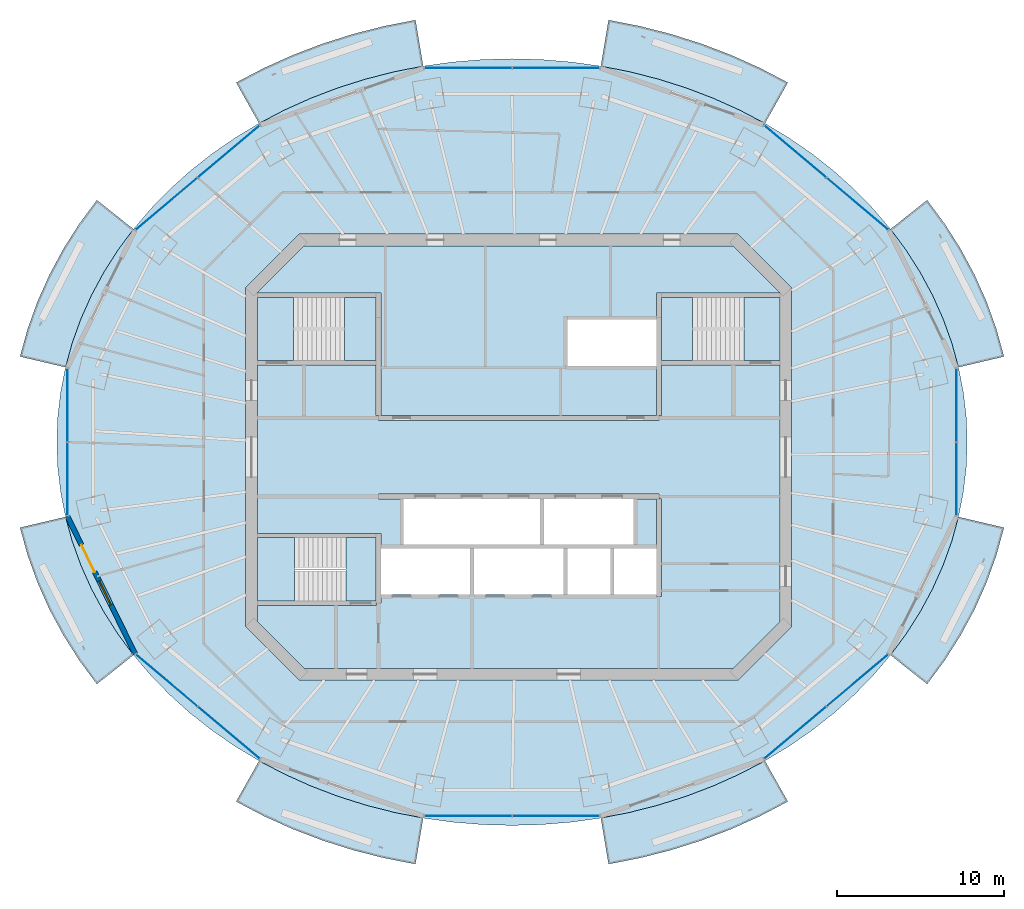
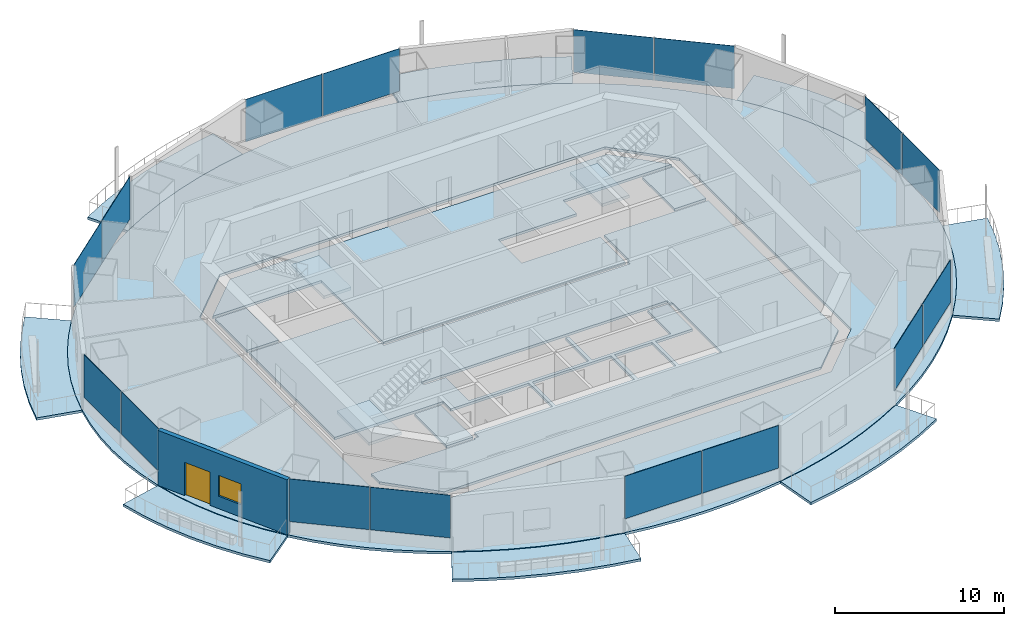
# One storey, part 7 of 16: 17 slabs, 16 plates, 1 door, 1 wall, 1 window, 2 openings, 11 elements without a shape of their own.
"""IFC4 building model written with IfcOpenShell, lengths in metres."""

from ifc_helpers import new_model, si_unit, direction, frame, frame_2d, origin, origin_2d, place, context, subcontext, project, spatial, polyline, rectangle, outline, extrude, material, layer, layer_set, type_object, element, fill, aggregate, save


model = new_model("IFC4")

# Units and contexts
model_context = context("Model", 3, precision=1e-05, world=origin(), true_north=direction((0.0, 1.0)))
body_context = subcontext(model_context, "Body", "Model", "MODEL_VIEW")
ifc_project = project(units=[si_unit("LENGTHUNIT", "METRE"), si_unit("AREAUNIT", "SQUARE_METRE"), si_unit("VOLUMEUNIT", "CUBIC_METRE"), si_unit("PLANEANGLEUNIT", "RADIAN"), si_unit("MASSUNIT", "GRAM", prefix="KILO")], contexts=[model_context])

# Site, building, storey
site_placement = place(None, origin())
site = spatial("IfcSite", under=ifc_project, at=site_placement, CompositionType="ELEMENT")
building_placement = place(site_placement, origin())
building = spatial("IfcBuilding", under=site, at=building_placement, Name="Marenthal Gate Tower", CompositionType="ELEMENT")
storey_placement = place(building_placement, frame((0.0, 0.0, 338.449951171875)))
storey = spatial("IfcBuildingStorey", under=building, at=storey_placement, Name="L76", CompositionType="ELEMENT", Elevation=338.449951171875)

# Slabs
ifc_material_1 = material(Name="Concrete 40 MPa", Category="concrete")
ifc_layer_1 = layer(ifc_material_1, 0.179931640625)
ifc_layer_set_1 = layer_set([ifc_layer_1], Name="Balcony deck 180")
slab_type_1 = type_object("IfcSlabType", Name="Balcony deck 180", PredefinedType="USERDEFINED", material=ifc_layer_set_1)
slab_1_placement = place(storey_placement, frame((0.0, 0.0, -0.219970703125)))
element("IfcSlab", 1, at=slab_1_placement, inside=storey, type_object=slab_type_1, Name="Balcony deck L76 bay 1", ObjectType="BALCONY", PredefinedType="USERDEFINED", context=body_context, shape_type="SweptSolid", body=[
    extrude(outline(polyline([(26.344970703125, 5.379638671875), (25.939697265625, 6.843017578125), (25.421875, 8.281005859375), (24.793212890625, 9.687255859375), (24.056884765625, 11.055908203125), (23.215576171875, 12.381103515625), (22.273193359375, 13.656982421875), (24.466552734375, 15.3974609375), (25.52490234375, 13.96435546875), (26.472900390625, 12.470703125), (27.3056640625, 10.923095703125), (28.018798828125, 9.327880859375), (28.60791015625, 7.692138671875), (29.070068359375, 6.0234375), (26.344970703125, 5.379638671875)])), origin(), (0.0, 0.0, 1.0), 0.179931640625),
])
slab_2_placement = place(storey_placement, frame((0.0, 0.0, -0.219970703125)))
element("IfcSlab", 2, at=slab_2_placement, inside=storey, type_object=slab_type_1, Name="Balcony deck L76 bay 3", ObjectType="BALCONY", PredefinedType="USERDEFINED", context=body_context, shape_type="SweptSolid", body=[
    extrude(outline(polyline([(14.749755859375, 19.9921875), (13.234619140625, 20.78564453125), (11.660888671875, 21.493896484375), (10.035400390625, 22.114013671875), (8.365234375, 22.643310546875), (6.65771484375, 23.07958984375), (4.919921875, 23.4208984375), (5.38232421875, 26.182373046875), (7.27392578125, 25.81103515625), (9.134765625, 25.335693359375), (10.95751953125, 24.7578125), (12.734619140625, 24.079833984375), (14.458740234375, 23.303955078125), (16.122802734375, 22.432373046875), (14.749755859375, 19.9921875)])), origin(), (0.0, 0.0, 1.0), 0.179931640625),
])
slab_3_placement = place(storey_placement, frame((0.0, 0.0, -0.219970703125)))
element("IfcSlab", 3, at=slab_3_placement, inside=storey, type_object=slab_type_1, Name="Balcony deck L76 bay 5", ObjectType="BALCONY", PredefinedType="USERDEFINED", context=body_context, shape_type="SweptSolid", body=[
    extrude(outline(polyline([(-5.719970703125, 23.4208984375), (-7.457763671875, 23.07958984375), (-9.165283203125, 22.643310546875), (-10.83544921875, 22.114013671875), (-12.460693359375, 21.493896484375), (-14.034423828125, 20.78564453125), (-15.5498046875, 19.9921875), (-16.9228515625, 22.432373046875), (-15.2587890625, 23.303955078125), (-13.53466796875, 24.079833984375), (-11.757568359375, 24.7578125), (-9.934814453125, 25.335693359375), (-8.073974609375, 25.81103515625), (-6.182373046875, 26.182373046875), (-5.719970703125, 23.4208984375)])), origin(), (0.0, 0.0, 1.0), 0.179931640625),
])
slab_4_placement = place(storey_placement, frame((0.0, 0.0, -0.219970703125)))
element("IfcSlab", 4, at=slab_4_placement, inside=storey, type_object=slab_type_1, Name="Balcony deck L76 bay 7", ObjectType="BALCONY", PredefinedType="USERDEFINED", context=body_context, shape_type="SweptSolid", body=[
    extrude(outline(polyline([(-23.0732421875, 13.656982421875), (-24.015625, 12.381103515625), (-24.856689453125, 11.055908203125), (-25.59326171875, 9.687255859375), (-26.2216796875, 8.281005859375), (-26.73974609375, 6.843017578125), (-27.14501953125, 5.379638671875), (-29.8701171875, 6.0234375), (-29.407958984375, 7.692138671875), (-28.818603515625, 9.327880859375), (-28.105712890625, 10.923095703125), (-27.27294921875, 12.470703125), (-26.324951171875, 13.96435546875), (-25.2666015625, 15.3974609375), (-23.0732421875, 13.656982421875)])), origin(), (0.0, 0.0, 1.0), 0.179931640625),
])
slab_5_placement = place(storey_placement, frame((0.0, 0.0, -0.219970703125)))
element("IfcSlab", 5, at=slab_5_placement, inside=storey, type_object=slab_type_1, Name="Balcony deck L76 bay 9", ObjectType="BALCONY", PredefinedType="USERDEFINED", context=body_context, shape_type="SweptSolid", body=[
    extrude(outline(polyline([(-27.14501953125, -3.57958984375), (-26.73974609375, -5.04296875), (-26.2216796875, -6.48095703125), (-25.59326171875, -7.88720703125), (-24.856689453125, -9.255859375), (-24.015625, -10.5810546875), (-23.0732421875, -11.85693359375), (-25.2666015625, -13.597412109375), (-26.324951171875, -12.164306640625), (-27.27294921875, -10.6708984375), (-28.105712890625, -9.123046875), (-28.818603515625, -7.52783203125), (-29.407958984375, -5.89208984375), (-29.8701171875, -4.223388671875), (-27.14501953125, -3.57958984375)])), origin(), (0.0, 0.0, 1.0), 0.179931640625),
])
slab_6_placement = place(storey_placement, frame((0.0, 0.0, -0.219970703125)))
element("IfcSlab", 6, at=slab_6_placement, inside=storey, type_object=slab_type_1, Name="Balcony deck L76 bay 11", ObjectType="BALCONY", PredefinedType="USERDEFINED", context=body_context, shape_type="SweptSolid", body=[
    extrude(outline(polyline([(-15.5498046875, -18.192138671875), (-14.034423828125, -18.985595703125), (-12.460693359375, -19.694091796875), (-10.83544921875, -20.314208984375), (-9.165283203125, -20.843505859375), (-7.457763671875, -21.279541015625), (-5.719970703125, -21.620849609375), (-6.182373046875, -24.38232421875), (-8.073974609375, -24.010986328125), (-9.934814453125, -23.53564453125), (-11.757568359375, -22.9580078125), (-13.53466796875, -22.280029296875), (-15.2587890625, -21.50390625), (-16.9228515625, -20.632568359375), (-15.5498046875, -18.192138671875)])), origin(), (0.0, 0.0, 1.0), 0.179931640625),
])
slab_7_placement = place(storey_placement, frame((0.0, 0.0, -0.219970703125)))
element("IfcSlab", 7, at=slab_7_placement, inside=storey, type_object=slab_type_1, Name="Balcony deck L76 bay 13", ObjectType="BALCONY", PredefinedType="USERDEFINED", context=body_context, shape_type="SweptSolid", body=[
    extrude(outline(polyline([(4.919921875, -21.620849609375), (6.65771484375, -21.279541015625), (8.365234375, -20.843505859375), (10.035400390625, -20.314208984375), (11.660888671875, -19.694091796875), (13.234619140625, -18.985595703125), (14.749755859375, -18.192138671875), (16.122802734375, -20.632568359375), (14.458740234375, -21.50390625), (12.734619140625, -22.280029296875), (10.95751953125, -22.9580078125), (9.134765625, -23.53564453125), (7.27392578125, -24.010986328125), (5.38232421875, -24.38232421875), (4.919921875, -21.620849609375)])), origin(), (0.0, 0.0, 1.0), 0.179931640625),
])
slab_8_placement = place(storey_placement, frame((0.0, 0.0, -0.219970703125)))
element("IfcSlab", 8, at=slab_8_placement, inside=storey, type_object=slab_type_1, Name="Balcony deck L76 bay 15", ObjectType="BALCONY", PredefinedType="USERDEFINED", context=body_context, shape_type="SweptSolid", body=[
    extrude(outline(polyline([(22.273193359375, -11.85693359375), (23.215576171875, -10.5810546875), (24.056884765625, -9.255859375), (24.793212890625, -7.88720703125), (25.421875, -6.48095703125), (25.939697265625, -5.04296875), (26.344970703125, -3.57958984375), (29.070068359375, -4.223388671875), (28.60791015625, -5.89208984375), (28.018798828125, -7.52783203125), (27.3056640625, -9.123046875), (26.472900390625, -10.6708984375), (25.52490234375, -12.164306640625), (24.466552734375, -13.597412109375), (22.273193359375, -11.85693359375)])), origin(), (0.0, 0.0, 1.0), 0.179931640625),
])
ifc_material_2 = material(Name="Concrete 50 MPa", Category="concrete")
ifc_layer_2 = layer(ifc_material_2, 0.179931640625)
ifc_layer_set_2 = layer_set([ifc_layer_2], Name="Core floor slab 180")
slab_type_2 = type_object("IfcSlabType", Name="Core floor slab 180", PredefinedType="FLOOR", material=ifc_layer_set_2)
slab_9_placement = place(storey_placement, frame((0.0, 0.0, -0.179931640625)))
element("IfcSlab", 9, at=slab_9_placement, inside=storey, type_object=slab_type_2, Name="Core floor L76", PredefinedType="FLOOR", context=body_context, shape_type="SweptSolid", body=[
    extrude(outline(polyline([(12.85498046875, -12.64990234375), (-12.85498046875, -12.64990234375), (-15.64990234375, -9.85498046875), (-15.64990234375, -8.875), (-8.550048828125, -8.875), (-8.550048828125, -8.75), (-8.25, -8.75), (-8.25, -8.239990234375), (-5.60009765625, -8.239990234375), (-2.909912109375, -8.239990234375), (-2.909912109375, -5.4599609375), (-5.60009765625, -5.4599609375), (-8.25, -5.4599609375), (-8.25, -4.574951171875), (-8.550048828125, -4.574951171875), (-15.64990234375, -4.574951171875), (-15.64990234375, 5.52490234375), (-8.550048828125, 5.52490234375), (-8.550048828125, 2.5), (-8.39990234375, 2.5), (-8.39990234375, 2.199951171875), (8.39990234375, 2.199951171875), (8.39990234375, 2.5), (8.550048828125, 2.5), (8.550048828125, 5.52490234375), (15.64990234375, 5.52490234375), (15.64990234375, -9.85498046875), (12.85498046875, -12.64990234375)]), holes=[polyline([(0.0, -8.239990234375), (2.68994140625, -8.239990234375), (2.68994140625, -5.4599609375), (0.0, -5.4599609375), (-2.68994140625, -5.4599609375), (-2.68994140625, -8.239990234375), (0.0, -8.239990234375)]), polyline([(1.2900390625, -5.239990234375), (1.2900390625, -2.5), (1.510009765625, -2.5), (1.510009765625, -5.239990234375), (4.199951171875, -5.239990234375), (6.889892578125, -5.239990234375), (6.889892578125, -2.5), (8.25, -2.5), (8.25, -5.4599609375), (5.7099609375, -5.4599609375), (5.7099609375, -8.239990234375), (8.25, -8.239990234375), (8.25, -8.35009765625), (8.550048828125, -8.35009765625), (8.550048828125, -2.5), (8.39990234375, -2.5), (8.39990234375, -2.199951171875), (-8.39990234375, -2.199951171875), (-8.39990234375, -2.5), (-6.889892578125, -2.5), (-6.889892578125, -5.239990234375), (-4.199951171875, -5.239990234375), (-1.39990234375, -5.239990234375), (1.2900390625, -5.239990234375)]), polyline([(5.489990234375, -5.4599609375), (2.909912109375, -5.4599609375), (2.909912109375, -8.239990234375), (5.489990234375, -8.239990234375), (5.489990234375, -5.4599609375)])]), origin(), (0.0, 0.0, 1.0), 0.179931640625),
])
slab_10_placement = place(storey_placement, frame((0.0, 0.0, -0.179931640625)))
element("IfcSlab", 10, at=slab_10_placement, inside=storey, type_object=slab_type_2, Name="Core floor L76", PredefinedType="FLOOR", context=body_context, shape_type="SweptSolid", body=[
    extrude(outline(polyline([(15.64990234375, 5.77490234375), (13.5, 5.77490234375), (13.5, 9.574951171875), (15.64990234375, 9.574951171875), (15.64990234375, 5.77490234375)])), origin(), (0.0, 0.0, 1.0), 0.179931640625),
])
slab_11_placement = place(storey_placement, frame((0.0, 0.0, -0.179931640625)))
element("IfcSlab", 11, at=slab_11_placement, inside=storey, type_object=slab_type_2, Name="Core floor L76", PredefinedType="FLOOR", context=body_context, shape_type="SweptSolid", body=[
    extrude(outline(polyline([(15.64990234375, 9.824951171875), (8.550048828125, 9.824951171875), (8.25, 9.824951171875), (8.25, 8.35009765625), (8.25, 8.239990234375), (5.60009765625, 8.239990234375), (2.909912109375, 8.239990234375), (2.909912109375, 5.4599609375), (5.60009765625, 5.4599609375), (8.25, 5.4599609375), (8.25, 2.5), (-8.25, 2.5), (-8.25, 8.35009765625), (-8.25, 9.824951171875), (-8.550048828125, 9.824951171875), (-15.64990234375, 9.824951171875), (-15.64990234375, 9.85498046875), (-12.85498046875, 12.64990234375), (12.85498046875, 12.64990234375), (15.64990234375, 9.85498046875), (15.64990234375, 9.824951171875)])), origin(), (0.0, 0.0, 1.0), 0.179931640625),
])
slab_12_placement = place(storey_placement, frame((0.0, 0.0, -0.179931640625)))
element("IfcSlab", 12, at=slab_12_placement, inside=storey, type_object=slab_type_2, Name="Core floor L76", PredefinedType="FLOOR", context=body_context, shape_type="SweptSolid", body=[
    extrude(outline(polyline([(-15.64990234375, 9.574951171875), (-13.5, 9.574951171875), (-13.5, 5.77490234375), (-15.64990234375, 5.77490234375), (-15.64990234375, 9.574951171875)])), origin(), (0.0, 0.0, 1.0), 0.179931640625),
])
slab_13_placement = place(storey_placement, frame((0.0, 0.0, -0.179931640625)))
element("IfcSlab", 13, at=slab_13_placement, inside=storey, type_object=slab_type_2, Name="Core floor L76", PredefinedType="FLOOR", context=body_context, shape_type="SweptSolid", body=[
    extrude(outline(polyline([(-8.550048828125, -4.824951171875), (-8.550048828125, -8.625), (-10.35009765625, -8.625), (-10.35009765625, -4.824951171875), (-8.550048828125, -4.824951171875)])), origin(), (0.0, 0.0, 1.0), 0.179931640625),
])
ifc_material_3 = material(Name="Concrete 35 MPa", Category="concrete")
ifc_layer_3 = layer(ifc_material_3, 0.179931640625)
ifc_layer_set_3 = layer_set([ifc_layer_3], Name="Floor slab 180")
slab_type_3 = type_object("IfcSlabType", Name="Floor slab 180", PredefinedType="FLOOR", material=ifc_layer_set_3)
slab_14_placement = place(storey_placement, frame((0.0, 0.0, -0.179931640625)))
element("IfcSlab", 14, at=slab_14_placement, inside=storey, type_object=slab_type_3, Name="SL-L76-01", PredefinedType="FLOOR", context=body_context, shape_type="SweptSolid", body=[
    extrude(outline(polyline([(26.868896484375, 0.89990234375), (26.810546875, 2.40185546875), (26.6357421875, 3.897216796875), (26.344970703125, 5.379638671875), (25.939697265625, 6.843017578125), (25.421875, 8.281005859375), (24.793212890625, 9.687255859375), (24.056884765625, 11.055908203125), (23.215576171875, 12.381103515625), (22.273193359375, 13.656982421875), (21.23388671875, 14.87841796875), (20.101806640625, 16.039794921875), (18.882080078125, 17.13671875), (17.57958984375, 18.163818359375), (16.2001953125, 19.116943359375), (14.749755859375, 19.9921875), (13.234619140625, 20.78564453125), (11.660888671875, 21.493896484375), (10.035400390625, 22.114013671875), (8.365234375, 22.643310546875), (6.65771484375, 23.07958984375), (4.919921875, 23.4208984375), (3.1591796875, 23.66552734375), (1.383544921875, 23.812744140625), (-0.39990234375, 23.862060546875), (-2.18359375, 23.812744140625), (-3.959228515625, 23.66552734375), (-5.719970703125, 23.4208984375), (-7.457763671875, 23.07958984375), (-9.165283203125, 22.643310546875), (-10.83544921875, 22.114013671875), (-12.460693359375, 21.493896484375), (-14.034423828125, 20.78564453125), (-15.5498046875, 19.9921875), (-17.000244140625, 19.116943359375), (-18.379638671875, 18.163818359375), (-19.68212890625, 17.13671875), (-20.90185546875, 16.039794921875), (-22.033935546875, 14.87841796875), (-23.0732421875, 13.656982421875), (-24.015625, 12.381103515625), (-24.856689453125, 11.055908203125), (-25.59326171875, 9.687255859375), (-26.2216796875, 8.281005859375), (-26.73974609375, 6.843017578125), (-27.14501953125, 5.379638671875), (-27.435791015625, 3.897216796875), (-27.610595703125, 2.40185546875), (-27.6689453125, 0.89990234375), (-27.610595703125, -0.601806640625), (-27.435791015625, -2.09716796875), (-27.14501953125, -3.57958984375), (-26.73974609375, -5.04296875), (-26.2216796875, -6.48095703125), (-25.59326171875, -7.88720703125), (-24.856689453125, -9.255859375), (-24.015625, -10.5810546875), (-23.0732421875, -11.85693359375), (-22.033935546875, -13.078369140625), (-20.90185546875, -14.239990234375), (-19.68212890625, -15.336669921875), (-18.379638671875, -16.36376953125), (-17.000244140625, -17.31689453125), (-15.5498046875, -18.192138671875), (-14.034423828125, -18.985595703125), (-12.460693359375, -19.694091796875), (-10.83544921875, -20.314208984375), (-9.165283203125, -20.843505859375), (-7.457763671875, -21.279541015625), (-5.719970703125, -21.620849609375), (-3.959228515625, -21.865478515625), (-2.18359375, -22.0126953125), (-0.39990234375, -22.06201171875), (1.383544921875, -22.0126953125), (3.1591796875, -21.865478515625), (4.919921875, -21.620849609375), (6.65771484375, -21.279541015625), (8.365234375, -20.843505859375), (10.035400390625, -20.314208984375), (11.660888671875, -19.694091796875), (13.234619140625, -18.985595703125), (14.749755859375, -18.192138671875), (16.2001953125, -17.31689453125), (17.57958984375, -16.36376953125), (18.882080078125, -15.336669921875), (20.101806640625, -14.239990234375), (21.23388671875, -13.078369140625), (22.273193359375, -11.85693359375), (23.215576171875, -10.5810546875), (24.056884765625, -9.255859375), (24.793212890625, -7.88720703125), (25.421875, -6.48095703125), (25.939697265625, -5.04296875), (26.344970703125, -3.57958984375), (26.6357421875, -2.09716796875), (26.810546875, -0.601806640625), (26.868896484375, 0.89990234375)]), holes=[polyline([(13.14501953125, -13.35009765625), (16.35009765625, -10.14501953125), (16.35009765625, 10.14501953125), (13.14501953125, 13.35009765625), (-13.14501953125, 13.35009765625), (-16.35009765625, 10.14501953125), (-16.35009765625, -10.14501953125), (-13.14501953125, -13.35009765625), (13.14501953125, -13.35009765625)])]), origin(), (0.0, 0.0, 1.0), 0.179931640625),
])

# Curtain wall, plates
ifc_material_4 = material(Name="Aluminium and glass", Category="aluminium")
curtain_wall_type = type_object("IfcCurtainWallType", Name="Curtain wall typical high", PredefinedType="NOTDEFINED", material=ifc_material_4)
curtain_wall_1_placement = place(storey_placement, origin())
curtain_wall_1 = element("IfcCurtainWall", 15, at=curtain_wall_1_placement, inside=storey, type_object=curtain_wall_type, Name="Curtain wall L76 bay 2", PredefinedType="NOTDEFINED")
ifc_material_5 = material(Name="Glass, laminated insulating unit", Category="glass")
ifc_layer_4 = layer(ifc_material_5, 0.031982421875)
ifc_layer_set_4 = layer_set([ifc_layer_4], Name="Glass panel 32 typical high")
plate_type = type_object("IfcPlateType", Name="Glass panel 32 typical high", PredefinedType="CURTAIN_PANEL", material=ifc_layer_set_4)
plate_1_placement = place(storey_placement, frame((20.28955078125, 15.175537109375, 0.89990234375), z_axis=(0.0, 0.0, 1.0), x_axis=(-0.765193255572, 0.643800653639, 0.0)))
plate_1 = element("IfcPlate", 16, at=plate_1_placement, type_object=plate_type, Name="Glass panel L76 bay 2.1", PredefinedType="CURTAIN_PANEL", context=body_context, shape_type="SweptSolid", body=[
    extrude(rectangle(XDim=4.804443359375, YDim=0.031982421875, at=origin_2d()), origin(), (0.0, 0.0, 1.0), 3.070068359375),
])
plate_2_placement = place(storey_placement, frame((16.5673828125, 18.30712890625, 0.89990234375), z_axis=(0.0, 0.0, 1.0), x_axis=(-0.765193255572, 0.643800653639, 0.0)))
plate_2 = element("IfcPlate", 17, at=plate_2_placement, type_object=plate_type, Name="Glass panel L76 bay 2.2", PredefinedType="CURTAIN_PANEL", context=body_context, shape_type="SweptSolid", body=[
    extrude(rectangle(XDim=4.804443359375, YDim=0.031982421875, at=origin_2d()), origin(), (0.0, 0.0, 1.0), 3.070068359375),
])
aggregate(curtain_wall_1, [plate_1, plate_2])

curtain_wall_2_placement = place(storey_placement, origin())
curtain_wall_2 = element("IfcCurtainWall", 18, at=curtain_wall_2_placement, inside=storey, type_object=curtain_wall_type, Name="Curtain wall L76 bay 4", PredefinedType="NOTDEFINED")
plate_3_placement = place(storey_placement, frame((2.233154296875, 23.302978515625, 0.89990234375), z_axis=(0.0, 0.0, 1.0), x_axis=(-1.0, 0.0, 0.0)))
plate_3 = element("IfcPlate", 19, at=plate_3_placement, type_object=plate_type, Name="Glass panel L76 bay 4.1", PredefinedType="CURTAIN_PANEL", context=body_context, shape_type="SweptSolid", body=[
    extrude(rectangle(XDim=5.20654296875, YDim=0.031982421875, at=origin_2d()), origin(), (0.0, 0.0, 1.0), 3.070068359375),
])
plate_4_placement = place(storey_placement, frame((-3.033203125, 23.302978515625, 0.89990234375), z_axis=(0.0, 0.0, 1.0), x_axis=(-1.0, 0.0, 0.0)))
plate_4 = element("IfcPlate", 20, at=plate_4_placement, type_object=plate_type, Name="Glass panel L76 bay 4.2", PredefinedType="CURTAIN_PANEL", context=body_context, shape_type="SweptSolid", body=[
    extrude(rectangle(XDim=5.20654296875, YDim=0.031982421875, at=origin_2d()), origin(), (0.0, 0.0, 1.0), 3.070068359375),
])
aggregate(curtain_wall_2, [plate_3, plate_4])

curtain_wall_3_placement = place(storey_placement, origin())
curtain_wall_3 = element("IfcCurtainWall", 21, at=curtain_wall_3_placement, inside=storey, type_object=curtain_wall_type, Name="Curtain wall L76 bay 6", PredefinedType="NOTDEFINED")
plate_5_placement = place(storey_placement, frame((-17.3671875, 18.30712890625, 0.89990234375), z_axis=(0.0, 0.0, 1.0), x_axis=(-0.765193255572, -0.643800653639, 0.0)))
plate_5 = element("IfcPlate", 22, at=plate_5_placement, type_object=plate_type, Name="Glass panel L76 bay 6.1", PredefinedType="CURTAIN_PANEL", context=body_context, shape_type="SweptSolid", body=[
    extrude(rectangle(XDim=4.804443359375, YDim=0.031982421875, at=origin_2d()), origin(), (0.0, 0.0, 1.0), 3.070068359375),
])
plate_6_placement = place(storey_placement, frame((-21.089599609375, 15.175537109375, 0.89990234375), z_axis=(0.0, 0.0, 1.0), x_axis=(-0.765193255572, -0.643800653639, 0.0)))
plate_6 = element("IfcPlate", 23, at=plate_6_placement, type_object=plate_type, Name="Glass panel L76 bay 6.2", PredefinedType="CURTAIN_PANEL", context=body_context, shape_type="SweptSolid", body=[
    extrude(rectangle(XDim=4.804443359375, YDim=0.031982421875, at=origin_2d()), origin(), (0.0, 0.0, 1.0), 3.070068359375),
])
aggregate(curtain_wall_3, [plate_5, plate_6])

curtain_wall_4_placement = place(storey_placement, origin())
curtain_wall_4 = element("IfcCurtainWall", 24, at=curtain_wall_4_placement, inside=storey, type_object=curtain_wall_type, Name="Curtain wall L76 bay 8", PredefinedType="NOTDEFINED")
plate_7_placement = place(storey_placement, frame((-27.02734375, 3.113037109375, 0.89990234375), z_axis=(0.0, 0.0, 1.0), x_axis=(0.0, -1.0, 0.0)))
plate_7 = element("IfcPlate", 25, at=plate_7_placement, type_object=plate_type, Name="Glass panel L76 bay 8.1", PredefinedType="CURTAIN_PANEL", context=body_context, shape_type="SweptSolid", body=[
    extrude(rectangle(XDim=4.3662109375, YDim=0.031982421875, at=origin_2d()), origin(), (0.0, 0.0, 1.0), 3.070068359375),
])
plate_8_placement = place(storey_placement, frame((-27.02734375, -1.313232421875, 0.89990234375), z_axis=(0.0, 0.0, 1.0), x_axis=(0.0, -1.0, 0.0)))
plate_8 = element("IfcPlate", 26, at=plate_8_placement, type_object=plate_type, Name="Glass panel L76 bay 8.2", PredefinedType="CURTAIN_PANEL", context=body_context, shape_type="SweptSolid", body=[
    extrude(rectangle(XDim=4.3662109375, YDim=0.031982421875, at=origin_2d()), origin(), (0.0, 0.0, 1.0), 3.070068359375),
])
aggregate(curtain_wall_4, [plate_7, plate_8])

curtain_wall_5_placement = place(storey_placement, origin())
curtain_wall_5 = element("IfcCurtainWall", 27, at=curtain_wall_5_placement, inside=storey, type_object=curtain_wall_type, Name="Curtain wall L76 bay 10", PredefinedType="NOTDEFINED")
plate_9_placement = place(storey_placement, frame((-21.089599609375, -13.37548828125, 0.89990234375), z_axis=(0.0, 0.0, 1.0), x_axis=(0.765193255572, -0.643800653639, 0.0)))
plate_9 = element("IfcPlate", 28, at=plate_9_placement, type_object=plate_type, Name="Glass panel L76 bay 10.1", PredefinedType="CURTAIN_PANEL", context=body_context, shape_type="SweptSolid", body=[
    extrude(rectangle(XDim=4.804443359375, YDim=0.031982421875, at=origin_2d()), origin(), (0.0, 0.0, 1.0), 3.070068359375),
])
plate_10_placement = place(storey_placement, frame((-17.3671875, -16.507080078125, 0.89990234375), z_axis=(0.0, 0.0, 1.0), x_axis=(0.765193255572, -0.643800653639, 0.0)))
plate_10 = element("IfcPlate", 29, at=plate_10_placement, type_object=plate_type, Name="Glass panel L76 bay 10.2", PredefinedType="CURTAIN_PANEL", context=body_context, shape_type="SweptSolid", body=[
    extrude(rectangle(XDim=4.804443359375, YDim=0.031982421875, at=origin_2d()), origin(), (0.0, 0.0, 1.0), 3.070068359375),
])
aggregate(curtain_wall_5, [plate_9, plate_10])

curtain_wall_6_placement = place(storey_placement, origin())
curtain_wall_6 = element("IfcCurtainWall", 30, at=curtain_wall_6_placement, inside=storey, type_object=curtain_wall_type, Name="Curtain wall L76 bay 12", PredefinedType="NOTDEFINED")
plate_11_placement = place(storey_placement, frame((-3.033203125, -21.503173828125, 0.89990234375), z_axis=(0.0, 0.0, 1.0), x_axis=(1.0, 0.0, 0.0)))
plate_11 = element("IfcPlate", 31, at=plate_11_placement, type_object=plate_type, Name="Glass panel L76 bay 12.1", PredefinedType="CURTAIN_PANEL", context=body_context, shape_type="SweptSolid", body=[
    extrude(rectangle(XDim=5.20654296875, YDim=0.031982421875, at=origin_2d()), origin(), (0.0, 0.0, 1.0), 3.070068359375),
])
plate_12_placement = place(storey_placement, frame((2.233154296875, -21.503173828125, 0.89990234375), z_axis=(0.0, 0.0, 1.0), x_axis=(1.0, 0.0, 0.0)))
plate_12 = element("IfcPlate", 32, at=plate_12_placement, type_object=plate_type, Name="Glass panel L76 bay 12.2", PredefinedType="CURTAIN_PANEL", context=body_context, shape_type="SweptSolid", body=[
    extrude(rectangle(XDim=5.20654296875, YDim=0.031982421875, at=origin_2d()), origin(), (0.0, 0.0, 1.0), 3.070068359375),
])
aggregate(curtain_wall_6, [plate_11, plate_12])

curtain_wall_7_placement = place(storey_placement, origin())
curtain_wall_7 = element("IfcCurtainWall", 33, at=curtain_wall_7_placement, inside=storey, type_object=curtain_wall_type, Name="Curtain wall L76 bay 14", PredefinedType="NOTDEFINED")
plate_13_placement = place(storey_placement, frame((16.567138671875, -16.50732421875, 0.89990234375), z_axis=(0.0, 0.0, 1.0), x_axis=(0.765193255572, 0.643800653639, 0.0)))
plate_13 = element("IfcPlate", 34, at=plate_13_placement, type_object=plate_type, Name="Glass panel L76 bay 14.1", PredefinedType="CURTAIN_PANEL", context=body_context, shape_type="SweptSolid", body=[
    extrude(rectangle(XDim=4.804443359375, YDim=0.031982421875, at=origin_2d()), origin(), (0.0, 0.0, 1.0), 3.070068359375),
])
plate_14_placement = place(storey_placement, frame((20.28955078125, -13.37548828125, 0.89990234375), z_axis=(0.0, 0.0, 1.0), x_axis=(0.765193255572, 0.643800653639, 0.0)))
plate_14 = element("IfcPlate", 35, at=plate_14_placement, type_object=plate_type, Name="Glass panel L76 bay 14.2", PredefinedType="CURTAIN_PANEL", context=body_context, shape_type="SweptSolid", body=[
    extrude(rectangle(XDim=4.804443359375, YDim=0.031982421875, at=origin_2d()), origin(), (0.0, 0.0, 1.0), 3.070068359375),
])
aggregate(curtain_wall_7, [plate_13, plate_14])

curtain_wall_8_placement = place(storey_placement, origin())
curtain_wall_8 = element("IfcCurtainWall", 36, at=curtain_wall_8_placement, inside=storey, type_object=curtain_wall_type, Name="Curtain wall L76 bay 16", PredefinedType="NOTDEFINED")
plate_15_placement = place(storey_placement, frame((26.227294921875, -1.313232421875, 0.89990234375), z_axis=(0.0, 0.0, 1.0), x_axis=(0.0, 1.0, 0.0)))
plate_15 = element("IfcPlate", 37, at=plate_15_placement, type_object=plate_type, Name="Glass panel L76 bay 16.1", PredefinedType="CURTAIN_PANEL", context=body_context, shape_type="SweptSolid", body=[
    extrude(rectangle(XDim=4.3662109375, YDim=0.031982421875, at=origin_2d()), origin(), (0.0, 0.0, 1.0), 3.070068359375),
])
plate_16_placement = place(storey_placement, frame((26.227294921875, 3.113037109375, 0.89990234375), z_axis=(0.0, 0.0, 1.0), x_axis=(0.0, 1.0, 0.0)))
plate_16 = element("IfcPlate", 38, at=plate_16_placement, type_object=plate_type, Name="Glass panel L76 bay 16.2", PredefinedType="CURTAIN_PANEL", context=body_context, shape_type="SweptSolid", body=[
    extrude(rectangle(XDim=4.3662109375, YDim=0.031982421875, at=origin_2d()), origin(), (0.0, 0.0, 1.0), 3.070068359375),
])
aggregate(curtain_wall_8, [plate_15, plate_16])

# Stair, slab
ifc_material_6 = material(Name="Concrete 40 MPa", Category="concrete")
stair_type = type_object("IfcStairType", Name="Exit stair 1800", PredefinedType="HALF_TURN_STAIR", material=ifc_material_6)
stair_1_placement = place(storey_placement, origin())
stair_1 = element("IfcStair", 39, at=stair_1_placement, inside=storey, type_object=stair_type, Name="Stair ST1", PredefinedType="HALF_TURN_STAIR")
ifc_material_7 = material(Name="Concrete 40 MPa", Category="concrete")
ifc_layer_5 = layer(ifc_material_7, 0.199951171875)
ifc_layer_set_5 = layer_set([ifc_layer_5], Name="Stair landing 200")
slab_type_4 = type_object("IfcSlabType", Name="Stair landing 200", PredefinedType="LANDING", material=ifc_layer_set_5)
slab_15_placement = place(storey_placement, frame((0.0, 0.0, 1.875)))
slab_15 = element("IfcSlab", 40, at=slab_15_placement, type_object=slab_type_4, Name="ST1 landing 1", PredefinedType="LANDING", context=body_context, shape_type="SweptSolid", body=[
    extrude(outline(polyline([(-10.419921875, 5.77490234375), (-8.550048828125, 5.77490234375), (-8.550048828125, 9.574951171875), (-10.419921875, 9.574951171875), (-10.419921875, 5.77490234375)])), origin(), (0.0, 0.0, 1.0), 0.199951171875),
])
aggregate(stair_1, [slab_15])

stair_2_placement = place(storey_placement, origin())
stair_2 = element("IfcStair", 41, at=stair_2_placement, inside=storey, type_object=stair_type, Name="Stair ST2", PredefinedType="HALF_TURN_STAIR")
slab_16_placement = place(storey_placement, frame((0.0, 0.0, 1.875)))
slab_16 = element("IfcSlab", 42, at=slab_16_placement, type_object=slab_type_4, Name="ST2 landing 1", PredefinedType="LANDING", context=body_context, shape_type="SweptSolid", body=[
    extrude(outline(polyline([(-15.64990234375, -8.625), (-13.429931640625, -8.625), (-13.429931640625, -4.824951171875), (-15.64990234375, -4.824951171875), (-15.64990234375, -8.625)])), origin(), (0.0, 0.0, 1.0), 0.199951171875),
])
aggregate(stair_2, [slab_16])

stair_3_placement = place(storey_placement, origin())
stair_3 = element("IfcStair", 43, at=stair_3_placement, inside=storey, type_object=stair_type, Name="Stair ST3", PredefinedType="HALF_TURN_STAIR")
slab_17_placement = place(storey_placement, frame((0.0, 0.0, 1.875)))
slab_17 = element("IfcSlab", 44, at=slab_17_placement, type_object=slab_type_4, Name="ST3 landing 1", PredefinedType="LANDING", context=body_context, shape_type="SweptSolid", body=[
    extrude(outline(polyline([(8.550048828125, 5.77490234375), (10.419921875, 5.77490234375), (10.419921875, 9.574951171875), (8.550048828125, 9.574951171875), (8.550048828125, 5.77490234375)])), origin(), (0.0, 0.0, 1.0), 0.199951171875),
])
aggregate(stair_3, [slab_17])

# Wall, openings, door, window
ifc_material_8 = material(Name="Terracotta cladding on insulated concrete-block backing", Category="masonry")
ifc_layer_6 = layer(ifc_material_8, 0.300048828125)
ifc_layer_set_6 = layer_set([ifc_layer_6], Name="Terracotta facade wall 300")
wall_type = type_object("IfcWallType", Name="Terracotta facade wall 300", PredefinedType="SOLIDWALL", material=ifc_layer_set_6)
wall_placement = place(storey_placement, frame((-27.02734375, -3.556396484375, 0.0), z_axis=(0.0, 0.0, 1.0), x_axis=(0.441693248755, -0.897166135119, 0.0)))
wall = element("IfcWall", 45, at=wall_placement, inside=storey, type_object=wall_type, Name="Terracotta facade wall L76 bay 9", PredefinedType="SOLIDWALL", context=body_context, shape_type="SweptSolid", body=[
    extrude(rectangle(XDim=9.177734375, YDim=0.300048828125, at=frame_2d((4.5888671875, 0.0))), origin(), (0.0, 0.0, 1.0), 3.969970703125),
])
opening_1_placement = place(wall_placement, frame((1.89990234375, 0.0, 0.0)))
opening_1 = element("IfcOpeningElement", 46, at=opening_1_placement, cuts=wall, Name="Opening BD-L76-09", PredefinedType="OPENING", context=body_context, shape_type="SweptSolid", body=[
    extrude(rectangle(XDim=1.800048828125, YDim=2.39990234375, at=frame_2d((0.89990234375, 1.199951171875))), frame((0.0, 0.16015625, 0.0), z_axis=(0.0, -1.0, 0.0), x_axis=(1.0, 0.0, 0.0)), (0.0, 0.0, 1.0), 0.320068359375),
])
opening_2_placement = place(wall_placement, frame((4.300048828125, 0.0, 0.89990234375)))
opening_2 = element("IfcOpeningElement", 47, at=opening_2_placement, cuts=wall, Name="Opening WN3-L76-09", PredefinedType="OPENING", context=body_context, shape_type="SweptSolid", body=[
    extrude(rectangle(XDim=1.60009765625, YDim=1.5, at=frame_2d((0.800048828125, 0.75))), frame((0.0, 0.16015625, 0.0), z_axis=(0.0, -1.0, 0.0), x_axis=(1.0, 0.0, 0.0)), (0.0, 0.0, 1.0), 0.320068359375),
])
ifc_material_9 = material(Name="Aluminium and glass", Category="aluminium")
door_type = type_object("IfcDoorType", Name="Balcony door 1800x2400", OperationType="DOUBLE_DOOR_SINGLE_SWING", PredefinedType="DOOR", material=ifc_material_9)
door_placement = place(opening_1_placement, origin())
door = element("IfcDoor", 48, at=door_placement, inside=storey, type_object=door_type, Name="Balcony door L76 bay 9", OperationType="SINGLE_SWING_LEFT", OverallHeight=2.39990234375, OverallWidth=1.800048828125, PredefinedType="DOOR", context=body_context, shape_type="SweptSolid", body=[
    extrude(rectangle(XDim=1.800048828125, YDim=2.39990234375, at=frame_2d((0.89990234375, 1.199951171875))), frame((0.0, 0.02490234375, 0.0), z_axis=(0.0, -1.0, 0.0), x_axis=(1.0, 0.0, 0.0)), (0.0, 0.0, 1.0), 0.050048828125),
])
fill(opening_1, door)
ifc_material_10 = material(Name="Aluminium and glass", Category="aluminium")
window_type = type_object("IfcWindowType", Name="Window 1600x1500", PartitioningType="DOUBLE_PANEL_VERTICAL", PredefinedType="WINDOW", material=ifc_material_10)
window_placement = place(opening_2_placement, origin())
window = element("IfcWindow", 49, at=window_placement, inside=storey, type_object=window_type, Name="Window L76 bay 9", OverallHeight=1.5, OverallWidth=1.60009765625, PartitioningType="SINGLE_PANEL", PredefinedType="WINDOW", context=body_context, shape_type="SweptSolid", body=[
    extrude(rectangle(XDim=1.60009765625, YDim=1.5, at=frame_2d((0.800048828125, 0.75))), frame((0.0, 0.030029296875, 0.0), z_axis=(0.0, -1.0, 0.0), x_axis=(1.0, 0.0, 0.0)), (0.0, 0.0, 1.0), 0.06005859375),
])
fill(opening_2, window)

save(model, "model.ifc")
